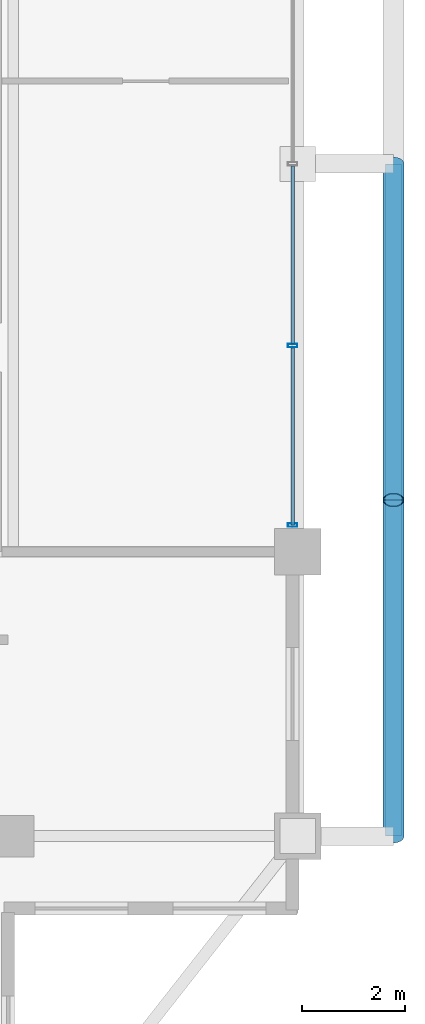
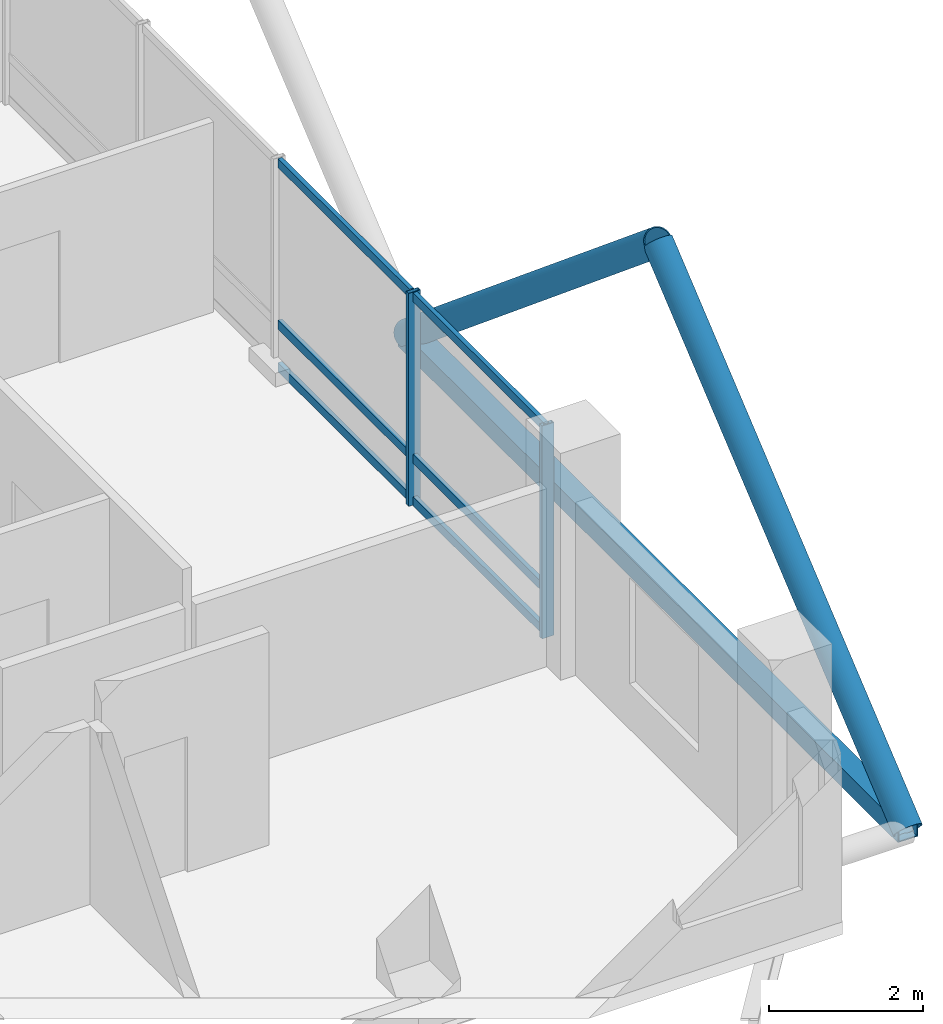
# One storey, part 12 of 24: 11 members, 1 element without a shape of its own.
"""IFC4 building model written with IfcOpenShell, lengths in metres."""

from ifc_helpers import new_model, si_unit, direction, frame, origin, origin_2d, place, context, subcontext, project, spatial, hollow_rectangle, hollow_circle, extrude, material, layer, layer_set, material_profile, profile_set, type_object, element, aggregate, save


model = new_model("IFC4")

# Units and contexts
model_context = context("Model", 3, precision=1e-05, world=origin(), true_north=direction((0.0, 1.0)))
body_context = subcontext(model_context, "Body", "Model", "MODEL_VIEW")
ifc_project = project(units=[si_unit("LENGTHUNIT", "METRE"), si_unit("AREAUNIT", "SQUARE_METRE"), si_unit("VOLUMEUNIT", "CUBIC_METRE"), si_unit("PLANEANGLEUNIT", "RADIAN"), si_unit("MASSUNIT", "GRAM", prefix="KILO")], contexts=[model_context])

# Site, building, storey
site_placement = place(None, origin())
site = spatial("IfcSite", under=ifc_project, at=site_placement, CompositionType="ELEMENT")
building_placement = place(site_placement, origin())
building = spatial("IfcBuilding", under=site, at=building_placement, Name="Barlavira Tower and Art Museum", CompositionType="ELEMENT")
storey_placement = place(building_placement, frame((0.0, 0.0, 251.10009765625)))
storey = spatial("IfcBuildingStorey", under=building, at=storey_placement, Name="L65", CompositionType="ELEMENT", Elevation=251.10009765625)

# Curtain wall, members
ifc_material_1 = material(Name="Low-iron coastal laminated glass", Category="glass")
ifc_layer = layer(ifc_material_1, 0.2099609375, Name="Low-iron coastal laminated glass")
ifc_layer_set = layer_set([ifc_layer], Name="Low-iron coastal laminated glass")
curtain_wall_type = type_object("IfcCurtainWallType", Name="Pale-Metal Unitised Curtain Wall Zone 4", PredefinedType="NOTDEFINED", material=ifc_layer_set)
curtain_wall_placement = place(storey_placement, origin())
curtain_wall = element("IfcCurtainWall", 1, at=curtain_wall_placement, inside=storey, type_object=curtain_wall_type, Name="L65 Curtain Wall CW4-L65-E-B3", PredefinedType="NOTDEFINED")
ifc_material_2 = material(Name="Pale anodised aluminium", Category="aluminium")
ifc_material_profile_1 = material_profile(ifc_material_2, hollow_rectangle(XDim=0.06494140625, YDim=0.179931640625, WallThickness=0.00390625, at=origin_2d()), Name="ALU-MULL 65x180x4")
ifc_profile_set_1 = profile_set([ifc_material_profile_1], Name="Pale anodised aluminium")
member_type_1 = type_object("IfcMemberType", Name="Curtain Wall Pale-Metal Mullion 65x180", PredefinedType="MULLION", material=ifc_profile_set_1)
member_1_placement = place(storey_placement, frame((16.89990234375, -6.985107421875, 0.0), z_axis=(0.0, 0.0, 1.0), x_axis=(0.0, 1.0, 0.0)))
member_1 = element("IfcMember", 2, at=member_1_placement, type_object=member_type_1, Name="CW4-L65-E-B3 Mullion 0", PredefinedType="MULLION", context=body_context, shape_type="SweptSolid", body=[
    extrude(hollow_rectangle(XDim=0.06494140625, YDim=0.179931640625, WallThickness=0.00390625, at=origin_2d()), origin(), (0.0, 0.0, 1.0), 3.3798828125),
])
member_2_placement = place(storey_placement, frame((16.89990234375, -3.514892578125, 0.0), z_axis=(0.0, 0.0, 1.0), x_axis=(0.0, 1.0, 0.0)))
member_2 = element("IfcMember", 3, at=member_2_placement, type_object=member_type_1, Name="CW4-L65-E-B3 Mullion 1", PredefinedType="MULLION", context=body_context, shape_type="SweptSolid", body=[
    extrude(hollow_rectangle(XDim=0.06494140625, YDim=0.179931640625, WallThickness=0.00390625, at=origin_2d()), origin(), (0.0, 0.0, 1.0), 3.3798828125),
])
ifc_material_profile_2 = material_profile(ifc_material_2, hollow_rectangle(XDim=0.06494140625, YDim=0.139892578125, WallThickness=0.00390625, at=origin_2d()), Name="ALU-TRAN 65x140x4")
ifc_profile_set_2 = profile_set([ifc_material_profile_2], Name="Pale anodised aluminium")
member_type_2 = type_object("IfcMemberType", Name="Curtain Wall Pale-Metal Transom 65x140", PredefinedType="USERDEFINED", material=ifc_profile_set_2)
member_3_placement = place(storey_placement, frame((16.89990234375, -6.985107421875, 0.06982421875), z_axis=(0.0, 1.0, 0.0), x_axis=(-1.0, 0.0, 0.0)))
member_3 = element("IfcMember", 4, at=member_3_placement, type_object=member_type_2, Name="CW4-L65-E-B3 Transom 0.1", ObjectType="TRANSOM", PredefinedType="USERDEFINED", context=body_context, shape_type="SweptSolid", body=[
    extrude(hollow_rectangle(XDim=0.06494140625, YDim=0.139892578125, WallThickness=0.00390625, at=origin_2d()), origin(), (0.0, 0.0, 1.0), 3.425048828125),
])
member_4_placement = place(storey_placement, frame((16.89990234375, -6.985107421875, 0.743896484375), z_axis=(0.0, 1.0, 0.0), x_axis=(-1.0, 0.0, 0.0)))
member_4 = element("IfcMember", 5, at=member_4_placement, type_object=member_type_2, Name="CW4-L65-E-B3 Transom 0.2", ObjectType="TRANSOM", PredefinedType="USERDEFINED", context=body_context, shape_type="SweptSolid", body=[
    extrude(hollow_rectangle(XDim=0.06494140625, YDim=0.139892578125, WallThickness=0.00390625, at=origin_2d()), origin(), (0.0, 0.0, 1.0), 3.425048828125),
])
member_5_placement = place(storey_placement, frame((16.89990234375, -6.985107421875, 3.309814453125), z_axis=(0.0, 1.0, 0.0), x_axis=(-1.0, 0.0, 0.0)))
member_5 = element("IfcMember", 6, at=member_5_placement, type_object=member_type_2, Name="CW4-L65-E-B3 Transom 0.3", ObjectType="TRANSOM", PredefinedType="USERDEFINED", context=body_context, shape_type="SweptSolid", body=[
    extrude(hollow_rectangle(XDim=0.06494140625, YDim=0.139892578125, WallThickness=0.00390625, at=origin_2d()), origin(), (0.0, 0.0, 1.0), 3.425048828125),
])
member_6_placement = place(storey_placement, frame((16.89990234375, -3.469970703125, 0.06982421875), z_axis=(0.0, 1.0, 0.0), x_axis=(-1.0, 0.0, 0.0)))
member_6 = element("IfcMember", 7, at=member_6_placement, type_object=member_type_2, Name="CW4-L65-E-B3 Transom 1.1", ObjectType="TRANSOM", PredefinedType="USERDEFINED", context=body_context, shape_type="SweptSolid", body=[
    extrude(hollow_rectangle(XDim=0.06494140625, YDim=0.139892578125, WallThickness=0.00390625, at=origin_2d()), origin(), (0.0, 0.0, 1.0), 3.425048828125),
])
member_7_placement = place(storey_placement, frame((16.89990234375, -3.469970703125, 0.743896484375), z_axis=(0.0, 1.0, 0.0), x_axis=(-1.0, 0.0, 0.0)))
member_7 = element("IfcMember", 8, at=member_7_placement, type_object=member_type_2, Name="CW4-L65-E-B3 Transom 1.2", ObjectType="TRANSOM", PredefinedType="USERDEFINED", context=body_context, shape_type="SweptSolid", body=[
    extrude(hollow_rectangle(XDim=0.06494140625, YDim=0.139892578125, WallThickness=0.00390625, at=origin_2d()), origin(), (0.0, 0.0, 1.0), 3.425048828125),
])
member_8_placement = place(storey_placement, frame((16.89990234375, -3.469970703125, 3.309814453125), z_axis=(0.0, 1.0, 0.0), x_axis=(-1.0, 0.0, 0.0)))
member_8 = element("IfcMember", 9, at=member_8_placement, type_object=member_type_2, Name="CW4-L65-E-B3 Transom 1.3", ObjectType="TRANSOM", PredefinedType="USERDEFINED", context=body_context, shape_type="SweptSolid", body=[
    extrude(hollow_rectangle(XDim=0.06494140625, YDim=0.139892578125, WallThickness=0.00390625, at=origin_2d()), origin(), (0.0, 0.0, 1.0), 3.425048828125),
])
aggregate(curtain_wall, [member_1, member_2, member_3, member_4, member_5, member_6, member_7, member_8])

# Members
ifc_material_3 = material(Name="Steel S355", Category="steel")
ifc_material_profile_3 = material_profile(ifc_material_3, hollow_circle(Radius=0.203125, WallThickness=0.01611328125, at=origin_2d()), Name="CHS 406.4x16.0")
ifc_profile_set_3 = profile_set([ifc_material_profile_3], Name="Steel S355")
member_type_3 = type_object("IfcMemberType", Name="Pale-Metal Exoskeleton Diagrid Tube CHS 406x16 Steel S355", PredefinedType="BRACE", material=ifc_profile_set_3)
for number, where, z_axis, x_axis, name in (
    (10, (18.85009765625, -13.0, -0.1201171875), (0.0, 0.769196053329, 0.639012857104), (-1.0, 0.0, 0.0), "L65 Exoskeleton Diagrid Tube E"),
    (11, (18.85009765625, 0.0, -0.1201171875), (0.0, -0.769196053329, 0.639012857104), (1.0, 0.0, 0.0), "L65 Exoskeleton Diagrid Tube E"),
):
    element("IfcMember", number, at=place(storey_placement, frame(where, z_axis=z_axis, x_axis=x_axis)), inside=storey, type_object=member_type_3, Name=name, PredefinedType="BRACE", context=body_context, shape_type="SweptSolid", body=[
        extrude(hollow_circle(Radius=0.203125, WallThickness=0.01611328125, at=origin_2d()), origin(), (0.0, 0.0, 1.0), 8.450439453125),
    ])
ifc_material_profile_4 = material_profile(ifc_material_3, hollow_rectangle(XDim=0.300048828125, YDim=0.300048828125, WallThickness=0.01611328125, at=origin_2d()), Name="SHS 300x300x16.0")
ifc_profile_set_4 = profile_set([ifc_material_profile_4], Name="Steel S355")
member_type_4 = type_object("IfcMemberType", Name="Pale-Metal Upper Ring Strut SHS 300x300x16 Steel S355", PredefinedType="STRUT", material=ifc_profile_set_4)
member_9_placement = place(storey_placement, frame((18.85009765625, -13.0, -0.1201171875), z_axis=(0.0, 1.0, 0.0), x_axis=(-1.0, 0.0, 0.0)))
element("IfcMember", 12, at=member_9_placement, inside=storey, type_object=member_type_4, Name="L65 Exoskeleton Ring Strut E", PredefinedType="STRUT", context=body_context, shape_type="SweptSolid", body=[
    extrude(hollow_rectangle(XDim=0.300048828125, YDim=0.300048828125, WallThickness=0.01611328125, at=origin_2d()), origin(), (0.0, 0.0, 1.0), 13.0),
])

save(model, "model.ifc")
